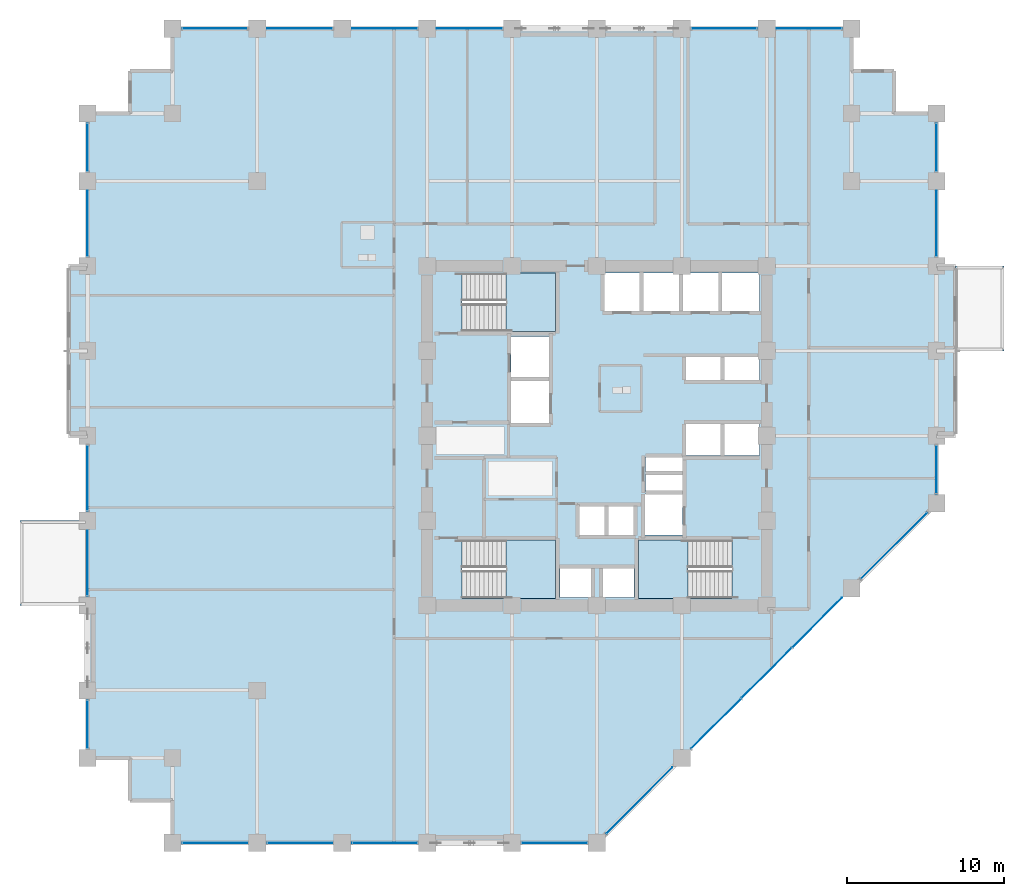
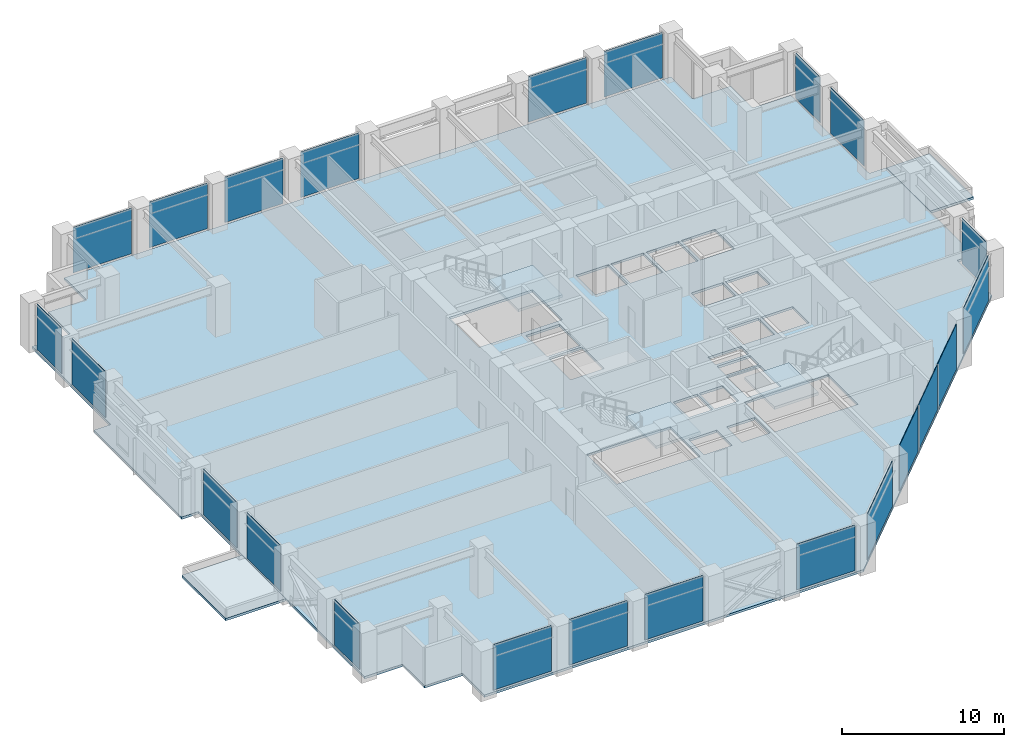
# One storey, part 17 of 25: 23 plates, 6 slabs, 13 elements without a shape of their own.
"""IFC4 building model written with IfcOpenShell, lengths in metres."""

from ifc_helpers import new_model, si_unit, direction, frame, frame_2d, origin, place, context, subcontext, project, spatial, polyline, rectangle, outline, extrude, material, layer, layer_set, type_object, element, aggregate, save


model = new_model("IFC4")

# Units and contexts
model_context = context("Model", 3, precision=1e-05, world=origin(), true_north=direction((0.0, 1.0)))
body_context = subcontext(model_context, "Body", "Model", "MODEL_VIEW")
ifc_project = project(units=[si_unit("LENGTHUNIT", "METRE"), si_unit("AREAUNIT", "SQUARE_METRE"), si_unit("VOLUMEUNIT", "CUBIC_METRE"), si_unit("PLANEANGLEUNIT", "RADIAN"), si_unit("MASSUNIT", "GRAM", prefix="KILO")], contexts=[model_context])

# Site, building, storey
site_placement = place(None, origin())
site = spatial("IfcSite", under=ifc_project, at=site_placement, CompositionType="ELEMENT")
building_placement = place(site_placement, origin())
building = spatial("IfcBuilding", under=site, at=building_placement, Name="Surkhivell Harbour Commons", CompositionType="ELEMENT")
storey_placement = place(building_placement, frame((0.0, 0.0, 94.5)))
storey = spatial("IfcBuildingStorey", under=building, at=storey_placement, Name="L24", CompositionType="ELEMENT", Elevation=94.5)

# Curtain wall, plates
ifc_material_1 = material(Name="Anodised pale-metal aluminium and insulated glazing", Category="aluminium")
ifc_layer_1 = layer(ifc_material_1, 0.205078125)
ifc_layer_set_1 = layer_set([ifc_layer_1], Name="Anodised pale-metal aluminium and insulated glazing")
curtain_wall_type = type_object("IfcCurtainWallType", Name="CW-SYS-Z2", PredefinedType="NOTDEFINED", material=ifc_layer_set_1)
curtain_wall_1_placement = place(storey_placement, origin())
curtain_wall_1 = element("IfcCurtainWall", 1, at=curtain_wall_1_placement, inside=storey, type_object=curtain_wall_type, Name="L24 Curtain Wall CW-L24-E00S1", PredefinedType="NOTDEFINED")
ifc_material_2 = material(Name="High-pressure typhoon laminated vision glass", Category="glass")
ifc_layer_2 = layer(ifc_material_2, 0.035888671875)
ifc_layer_set_2 = layer_set([ifc_layer_2], Name="High-pressure typhoon laminated vision glass")
plate_type = type_object("IfcPlateType", Name="CWP-GLZ-36", PredefinedType="CURTAIN_PANEL", material=ifc_layer_set_2)
plate_1_placement = place(storey_placement, frame((-26.373046875, -25.89990234375, 0.14990234375), z_axis=(0.0, 0.0, 1.0), x_axis=(1.0, 0.0, 0.0)))
plate_1 = element("IfcPlate", 2, at=plate_1_placement, type_object=plate_type, Name="CW-Z2 panel 1.1", PredefinedType="CURTAIN_PANEL", context=body_context, shape_type="SweptSolid", body=[
    extrude(rectangle(XDim=4.14599609375, YDim=0.035888671875, at=frame_2d((2.072998046875, 0.0))), origin(), (0.0, 0.0, 1.0), 3.420166015625),
])
plate_2_placement = place(storey_placement, frame((-20.972900390625, -25.89990234375, 0.14990234375), z_axis=(0.0, 0.0, 1.0), x_axis=(1.0, 0.0, 0.0)))
plate_2 = element("IfcPlate", 3, at=plate_2_placement, type_object=plate_type, Name="CW-Z2 panel 2.1", PredefinedType="CURTAIN_PANEL", context=body_context, shape_type="SweptSolid", body=[
    extrude(rectangle(XDim=4.14599609375, YDim=0.035888671875, at=frame_2d((2.072998046875, 0.0))), origin(), (0.0, 0.0, 1.0), 3.420166015625),
])
plate_3_placement = place(storey_placement, frame((-15.572998046875, -25.89990234375, 0.14990234375), z_axis=(0.0, 0.0, 1.0), x_axis=(1.0, 0.0, 0.0)))
plate_3 = element("IfcPlate", 4, at=plate_3_placement, type_object=plate_type, Name="CW-Z2 panel 3.1", PredefinedType="CURTAIN_PANEL", context=body_context, shape_type="SweptSolid", body=[
    extrude(rectangle(XDim=4.14599609375, YDim=0.035888671875, at=frame_2d((2.072998046875, 0.0))), origin(), (0.0, 0.0, 1.0), 3.420166015625),
])
aggregate(curtain_wall_1, [plate_1, plate_2, plate_3])

# Curtain wall, plate
curtain_wall_2_placement = place(storey_placement, origin())
curtain_wall_2 = element("IfcCurtainWall", 5, at=curtain_wall_2_placement, inside=storey, type_object=curtain_wall_type, Name="L24 Curtain Wall CW-L24-E00S2", PredefinedType="NOTDEFINED")
plate_4_placement = place(storey_placement, frame((-4.77294921875, -25.89990234375, 0.14990234375), z_axis=(0.0, 0.0, 1.0), x_axis=(1.0, 0.0, 0.0)))
plate_4 = element("IfcPlate", 6, at=plate_4_placement, type_object=plate_type, Name="CW-Z2 panel 1.1", PredefinedType="CURTAIN_PANEL", context=body_context, shape_type="SweptSolid", body=[
    extrude(rectangle(XDim=4.14599609375, YDim=0.035888671875, at=frame_2d((2.072998046875, 0.0))), origin(), (0.0, 0.0, 1.0), 3.420166015625),
])
aggregate(curtain_wall_2, [plate_4])

# Curtain wall, plates
curtain_wall_3_placement = place(storey_placement, origin())
curtain_wall_3 = element("IfcCurtainWall", 7, at=curtain_wall_3_placement, inside=storey, type_object=curtain_wall_type, Name="L24 Curtain Wall CW-L24-E01", PredefinedType="NOTDEFINED")
plate_5_placement = place(storey_placement, frame((0.604736328125, -25.295166015625, 0.14990234375), z_axis=(0.0, 0.0, 1.0), x_axis=(0.707106781187, 0.707106781187, 0.0)))
plate_5 = element("IfcPlate", 8, at=plate_5_placement, type_object=plate_type, Name="CW-Z2 panel 1.1", PredefinedType="CURTAIN_PANEL", context=body_context, shape_type="SweptSolid", body=[
    extrude(rectangle(XDim=5.92626953125, YDim=0.035888671875, at=frame_2d((2.963134765625, 0.0))), origin(), (0.0, 0.0, 1.0), 3.420166015625),
])
plate_6_placement = place(storey_placement, frame((6.004638671875, -19.895263671875, 0.14990234375), z_axis=(0.0, 0.0, 1.0), x_axis=(0.707134159244, 0.707079402069, 0.0)))
plate_6 = element("IfcPlate", 9, at=plate_6_placement, type_object=plate_type, Name="CW-Z2 panel 2.1", PredefinedType="CURTAIN_PANEL", context=body_context, shape_type="SweptSolid", body=[
    extrude(rectangle(XDim=4.45849609375, YDim=0.035888671875, at=frame_2d((2.229248046875, 0.0))), origin(), (0.0, 0.0, 1.0), 3.420166015625),
])
plate_7_placement = place(storey_placement, frame((9.21044921875, -16.689697265625, 0.14990234375), z_axis=(0.0, 0.0, 1.0), x_axis=(0.707106781187, 0.707106781187, 0.0)))
plate_7 = element("IfcPlate", 10, at=plate_7_placement, type_object=plate_type, Name="CW-Z2 panel 3.1", PredefinedType="CURTAIN_PANEL", context=body_context, shape_type="SweptSolid", body=[
    extrude(rectangle(XDim=4.49609375, YDim=0.035888671875, at=frame_2d((2.248046875, 0.0))), origin(), (0.0, 0.0, 1.0), 3.420166015625),
])
plate_8_placement = place(storey_placement, frame((12.442626953125, -13.457275390625, 0.14990234375), z_axis=(0.0, 0.0, 1.0), x_axis=(0.707106781187, 0.707106781187, 0.0)))
plate_8 = element("IfcPlate", 11, at=plate_8_placement, type_object=plate_type, Name="CW-Z2 panel 4.1", PredefinedType="CURTAIN_PANEL", context=body_context, shape_type="SweptSolid", body=[
    extrude(rectangle(XDim=4.45849609375, YDim=0.035888671875, at=frame_2d((2.229248046875, 0.0))), origin(), (0.0, 0.0, 1.0), 3.420166015625),
])
plate_9_placement = place(storey_placement, frame((16.8046875, -9.09521484375, 0.14990234375), z_axis=(0.0, 0.0, 1.0), x_axis=(0.707127378829, 0.707086182944, 0.0)))
plate_9 = element("IfcPlate", 12, at=plate_9_placement, type_object=plate_type, Name="CW-Z2 panel 5.1", PredefinedType="CURTAIN_PANEL", context=body_context, shape_type="SweptSolid", body=[
    extrude(rectangle(XDim=5.92626953125, YDim=0.035888671875, at=frame_2d((2.963134765625, 0.0))), origin(), (0.0, 0.0, 1.0), 3.420166015625),
])
aggregate(curtain_wall_3, [plate_5, plate_6, plate_7, plate_8, plate_9])

# Curtain wall, plate
curtain_wall_4_placement = place(storey_placement, origin())
curtain_wall_4 = element("IfcCurtainWall", 13, at=curtain_wall_4_placement, inside=storey, type_object=curtain_wall_type, Name="L24 Curtain Wall CW-L24-E02R1", PredefinedType="NOTDEFINED")
plate_10_placement = place(storey_placement, frame((21.60009765625, -3.673095703125, 0.14990234375), z_axis=(0.0, 0.0, 1.0), x_axis=(0.0, 1.0, 0.0)))
plate_10 = element("IfcPlate", 14, at=plate_10_placement, type_object=plate_type, Name="CW-Z2 panel 1.1", PredefinedType="CURTAIN_PANEL", context=body_context, shape_type="SweptSolid", body=[
    extrude(rectangle(XDim=3.046142578125, YDim=0.035888671875, at=frame_2d((1.52294921875, 0.0))), origin(), (0.0, 0.0, 1.0), 3.420166015625),
])
aggregate(curtain_wall_4, [plate_10])

# Curtain wall, plates
curtain_wall_5_placement = place(storey_placement, origin())
curtain_wall_5 = element("IfcCurtainWall", 15, at=curtain_wall_5_placement, inside=storey, type_object=curtain_wall_type, Name="L24 Curtain Wall CW-L24-E02R2", PredefinedType="NOTDEFINED")
plate_11_placement = place(storey_placement, frame((21.60009765625, 11.427001953125, 0.14990234375), z_axis=(0.0, 0.0, 1.0), x_axis=(0.0, 1.0, 0.0)))
plate_11 = element("IfcPlate", 16, at=plate_11_placement, type_object=plate_type, Name="CW-Z2 panel 1.1", PredefinedType="CURTAIN_PANEL", context=body_context, shape_type="SweptSolid", body=[
    extrude(rectangle(XDim=4.14599609375, YDim=0.035888671875, at=frame_2d((2.072998046875, 0.0))), origin(), (0.0, 0.0, 1.0), 3.420166015625),
])
plate_12_placement = place(storey_placement, frame((21.60009765625, 16.826904296875, 0.14990234375), z_axis=(0.0, 0.0, 1.0), x_axis=(0.0, 1.0, 0.0)))
plate_12 = element("IfcPlate", 17, at=plate_12_placement, type_object=plate_type, Name="CW-Z2 panel 2.1", PredefinedType="CURTAIN_PANEL", context=body_context, shape_type="SweptSolid", body=[
    extrude(rectangle(XDim=3.046142578125, YDim=0.035888671875, at=frame_2d((1.52294921875, 0.0))), origin(), (0.0, 0.0, 1.0), 3.420166015625),
])
aggregate(curtain_wall_5, [plate_11, plate_12])

curtain_wall_6_placement = place(storey_placement, origin())
curtain_wall_6 = element("IfcCurtainWall", 18, at=curtain_wall_6_placement, inside=storey, type_object=curtain_wall_type, Name="L24 Curtain Wall CW-L24-E07S1", PredefinedType="NOTDEFINED")
plate_13_placement = place(storey_placement, frame((15.572998046875, 25.89990234375, 0.14990234375), z_axis=(0.0, 0.0, 1.0), x_axis=(-1.0, 0.0, 0.0)))
plate_13 = element("IfcPlate", 19, at=plate_13_placement, type_object=plate_type, Name="CW-Z2 panel 1.1", PredefinedType="CURTAIN_PANEL", context=body_context, shape_type="SweptSolid", body=[
    extrude(rectangle(XDim=4.14599609375, YDim=0.035888671875, at=frame_2d((2.072998046875, 0.0))), origin(), (0.0, 0.0, 1.0), 3.420166015625),
])
plate_14_placement = place(storey_placement, frame((10.173095703125, 25.89990234375, 0.14990234375), z_axis=(0.0, 0.0, 1.0), x_axis=(-1.0, 0.0, 0.0)))
plate_14 = element("IfcPlate", 20, at=plate_14_placement, type_object=plate_type, Name="CW-Z2 panel 2.1", PredefinedType="CURTAIN_PANEL", context=body_context, shape_type="SweptSolid", body=[
    extrude(rectangle(XDim=4.14599609375, YDim=0.035888671875, at=frame_2d((2.072998046875, 0.0))), origin(), (0.0, 0.0, 1.0), 3.420166015625),
])
aggregate(curtain_wall_6, [plate_13, plate_14])

curtain_wall_7_placement = place(storey_placement, origin())
curtain_wall_7 = element("IfcCurtainWall", 21, at=curtain_wall_7_placement, inside=storey, type_object=curtain_wall_type, Name="L24 Curtain Wall CW-L24-E07S2", PredefinedType="NOTDEFINED")
plate_15_placement = place(storey_placement, frame((-6.027099609375, 25.89990234375, 0.14990234375), z_axis=(0.0, 0.0, 1.0), x_axis=(-1.0, 0.0, 0.0)))
plate_15 = element("IfcPlate", 22, at=plate_15_placement, type_object=plate_type, Name="CW-Z2 panel 1.1", PredefinedType="CURTAIN_PANEL", context=body_context, shape_type="SweptSolid", body=[
    extrude(rectangle(XDim=4.14599609375, YDim=0.035888671875, at=frame_2d((2.072998046875, 0.0))), origin(), (0.0, 0.0, 1.0), 3.420166015625),
])
plate_16_placement = place(storey_placement, frame((-11.427001953125, 25.89990234375, 0.14990234375), z_axis=(0.0, 0.0, 1.0), x_axis=(-1.0, 0.0, 0.0)))
plate_16 = element("IfcPlate", 23, at=plate_16_placement, type_object=plate_type, Name="CW-Z2 panel 2.1", PredefinedType="CURTAIN_PANEL", context=body_context, shape_type="SweptSolid", body=[
    extrude(rectangle(XDim=4.14599609375, YDim=0.035888671875, at=frame_2d((2.072998046875, 0.0))), origin(), (0.0, 0.0, 1.0), 3.420166015625),
])
plate_17_placement = place(storey_placement, frame((-16.826904296875, 25.89990234375, 0.14990234375), z_axis=(0.0, 0.0, 1.0), x_axis=(-1.0, 0.0, 0.0)))
plate_17 = element("IfcPlate", 24, at=plate_17_placement, type_object=plate_type, Name="CW-Z2 panel 3.1", PredefinedType="CURTAIN_PANEL", context=body_context, shape_type="SweptSolid", body=[
    extrude(rectangle(XDim=4.14599609375, YDim=0.035888671875, at=frame_2d((2.072998046875, 0.0))), origin(), (0.0, 0.0, 1.0), 3.420166015625),
])
plate_18_placement = place(storey_placement, frame((-22.22705078125, 25.89990234375, 0.14990234375), z_axis=(0.0, 0.0, 1.0), x_axis=(-1.0, 0.0, 0.0)))
plate_18 = element("IfcPlate", 25, at=plate_18_placement, type_object=plate_type, Name="CW-Z2 panel 4.1", PredefinedType="CURTAIN_PANEL", context=body_context, shape_type="SweptSolid", body=[
    extrude(rectangle(XDim=4.14599609375, YDim=0.035888671875, at=frame_2d((2.072998046875, 0.0))), origin(), (0.0, 0.0, 1.0), 3.420166015625),
])
aggregate(curtain_wall_7, [plate_15, plate_16, plate_17, plate_18])

# Curtain wall, plate
curtain_wall_8_placement = place(storey_placement, origin())
curtain_wall_8 = element("IfcCurtainWall", 26, at=curtain_wall_8_placement, inside=storey, type_object=curtain_wall_type, Name="L24 Curtain Wall CW-L24-E12R1S1", PredefinedType="NOTDEFINED")
plate_19_placement = place(storey_placement, frame((-32.39990234375, -19.873046875, 0.14990234375), z_axis=(0.0, 0.0, 1.0), x_axis=(0.0, 1.0, 0.0)))
plate_19 = element("IfcPlate", 27, at=plate_19_placement, type_object=plate_type, Name="CW-Z2 panel 1.1", PredefinedType="CURTAIN_PANEL", context=body_context, shape_type="SweptSolid", body=[
    extrude(rectangle(XDim=3.046142578125, YDim=0.035888671875, at=frame_2d((1.52294921875, 0.0))), origin(), (0.0, 0.0, 1.0), 3.420166015625),
])
aggregate(curtain_wall_8, [plate_19])

# Curtain wall, plates
curtain_wall_9_placement = place(storey_placement, origin())
curtain_wall_9 = element("IfcCurtainWall", 28, at=curtain_wall_9_placement, inside=storey, type_object=curtain_wall_type, Name="L24 Curtain Wall CW-L24-E12R1S2", PredefinedType="NOTDEFINED")
plate_20_placement = place(storey_placement, frame((-32.39990234375, -10.173095703125, 0.14990234375), z_axis=(0.0, 0.0, 1.0), x_axis=(0.0, 1.0, 0.0)))
plate_20 = element("IfcPlate", 29, at=plate_20_placement, type_object=plate_type, Name="CW-Z2 panel 1.1", PredefinedType="CURTAIN_PANEL", context=body_context, shape_type="SweptSolid", body=[
    extrude(rectangle(XDim=4.14599609375, YDim=0.035888671875, at=frame_2d((2.072998046875, 0.0))), origin(), (0.0, 0.0, 1.0), 3.420166015625),
])
plate_21_placement = place(storey_placement, frame((-32.39990234375, -4.77294921875, 0.14990234375), z_axis=(0.0, 0.0, 1.0), x_axis=(0.0, 1.0, 0.0)))
plate_21 = element("IfcPlate", 30, at=plate_21_placement, type_object=plate_type, Name="CW-Z2 panel 2.1", PredefinedType="CURTAIN_PANEL", context=body_context, shape_type="SweptSolid", body=[
    extrude(rectangle(XDim=4.14599609375, YDim=0.035888671875, at=frame_2d((2.072998046875, 0.0))), origin(), (0.0, 0.0, 1.0), 3.420166015625),
])
aggregate(curtain_wall_9, [plate_20, plate_21])

curtain_wall_10_placement = place(storey_placement, origin())
curtain_wall_10 = element("IfcCurtainWall", 31, at=curtain_wall_10_placement, inside=storey, type_object=curtain_wall_type, Name="L24 Curtain Wall CW-L24-E12R2", PredefinedType="NOTDEFINED")
plate_22_placement = place(storey_placement, frame((-32.39990234375, 11.427001953125, 0.14990234375), z_axis=(0.0, 0.0, 1.0), x_axis=(0.0, 1.0, 0.0)))
plate_22 = element("IfcPlate", 32, at=plate_22_placement, type_object=plate_type, Name="CW-Z2 panel 1.1", PredefinedType="CURTAIN_PANEL", context=body_context, shape_type="SweptSolid", body=[
    extrude(rectangle(XDim=4.14599609375, YDim=0.035888671875, at=frame_2d((2.072998046875, 0.0))), origin(), (0.0, 0.0, 1.0), 3.420166015625),
])
plate_23_placement = place(storey_placement, frame((-32.39990234375, 16.826904296875, 0.14990234375), z_axis=(0.0, 0.0, 1.0), x_axis=(0.0, 1.0, 0.0)))
plate_23 = element("IfcPlate", 33, at=plate_23_placement, type_object=plate_type, Name="CW-Z2 panel 2.1", PredefinedType="CURTAIN_PANEL", context=body_context, shape_type="SweptSolid", body=[
    extrude(rectangle(XDim=3.046142578125, YDim=0.035888671875, at=frame_2d((1.52294921875, 0.0))), origin(), (0.0, 0.0, 1.0), 3.420166015625),
])
aggregate(curtain_wall_10, [plate_22, plate_23])

# Slabs
ifc_material_3 = material(Name="Concrete C45/55", Category="concrete")
ifc_layer_3 = layer(ifc_material_3, 0.179931640625)
ifc_layer_set_3 = layer_set([ifc_layer_3], Name="Concrete C45/55")
slab_type_1 = type_object("IfcSlabType", Name="SLB-BOXRF-180", PredefinedType="ROOF", material=ifc_layer_set_3)
slab_1_placement = place(storey_placement, frame((0.0, 0.0, -0.179931640625)))
element("IfcSlab", 34, at=slab_1_placement, inside=storey, type_object=slab_type_1, Name="L24 Closed Box-Cluster Roof Slab 1", PredefinedType="ROOF", context=body_context, shape_type="SweptSolid", body=[
    extrude(outline(polyline([(25.89990234375, 10.800048828125), (22.820068359375, 10.800048828125), (22.820068359375, 5.39990234375), (25.89990234375, 5.39990234375), (25.89990234375, 10.800048828125)])), origin(), (0.0, 0.0, 1.0), 0.179931640625),
])
slab_2_placement = place(storey_placement, frame((0.0, 0.0, -0.179931640625)))
element("IfcSlab", 35, at=slab_2_placement, inside=storey, type_object=slab_type_1, Name="L24 Closed Box-Cluster Roof Slab 2", PredefinedType="ROOF", context=body_context, shape_type="SweptSolid", body=[
    extrude(outline(polyline([(-36.699951171875, -10.800048828125), (-32.419921875, -10.800048828125), (-32.419921875, -5.39990234375), (-36.699951171875, -5.39990234375), (-36.699951171875, -10.800048828125)])), origin(), (0.0, 0.0, 1.0), 0.179931640625),
])

# Stair, slab
ifc_material_4 = material(Name="Precast concrete C45/55", Category="concrete")
stair_type = type_object("IfcStairType", Name="STR-DL-375", PredefinedType="HALF_TURN_STAIR", material=ifc_material_4)
stair_1_placement = place(storey_placement, origin())
stair_1 = element("IfcStair", 36, at=stair_1_placement, inside=storey, type_object=stair_type, Name="L24 Core Exit Stair ST1", PredefinedType="HALF_TURN_STAIR")
ifc_material_5 = material(Name="Reinforced concrete C45/55", Category="concrete")
ifc_layer_4 = layer(ifc_material_5, 0.199951171875)
ifc_layer_set_4 = layer_set([ifc_layer_4], Name="Reinforced concrete C45/55")
slab_type_2 = type_object("IfcSlabType", Name="SLB-ST-LND200", PredefinedType="LANDING", material=ifc_layer_set_4)
slab_3_placement = place(storey_placement, frame((0.0, 0.0, 1.675048828125)))
slab_3 = element("IfcSlab", 37, at=slab_3_placement, type_object=slab_type_2, Name="ST1 landing 1", PredefinedType="LANDING", context=body_context, shape_type="SweptSolid", body=[
    extrude(outline(polyline([(-5.7900390625, 6.639892578125), (-2.639892578125, 6.639892578125), (-2.639892578125, 10.340087890625), (-5.7900390625, 10.340087890625), (-5.7900390625, 6.639892578125)])), origin(), (0.0, 0.0, 1.0), 0.199951171875),
])
aggregate(stair_1, [slab_3])

stair_2_placement = place(storey_placement, origin())
stair_2 = element("IfcStair", 38, at=stair_2_placement, inside=storey, type_object=stair_type, Name="L24 Core Exit Stair ST2", PredefinedType="HALF_TURN_STAIR")
slab_4_placement = place(storey_placement, frame((0.0, 0.0, 1.675048828125)))
slab_4 = element("IfcSlab", 39, at=slab_4_placement, type_object=slab_type_2, Name="ST2 landing 1", PredefinedType="LANDING", context=body_context, shape_type="SweptSolid", body=[
    extrude(outline(polyline([(5.7900390625, -6.639892578125), (2.639892578125, -6.639892578125), (2.639892578125, -10.340087890625), (5.7900390625, -10.340087890625), (5.7900390625, -6.639892578125)])), origin(), (0.0, 0.0, 1.0), 0.199951171875),
])
aggregate(stair_2, [slab_4])

stair_3_placement = place(storey_placement, origin())
stair_3 = element("IfcStair", 40, at=stair_3_placement, inside=storey, type_object=stair_type, Name="L24 Core Exit Stair ST3", PredefinedType="HALF_TURN_STAIR")
slab_5_placement = place(storey_placement, frame((0.0, 0.0, 1.675048828125)))
slab_5 = element("IfcSlab", 41, at=slab_5_placement, type_object=slab_type_2, Name="ST3 landing 1", PredefinedType="LANDING", context=body_context, shape_type="SweptSolid", body=[
    extrude(outline(polyline([(-5.7900390625, -10.340087890625), (-2.639892578125, -10.340087890625), (-2.639892578125, -6.639892578125), (-5.7900390625, -6.639892578125), (-5.7900390625, -10.340087890625)])), origin(), (0.0, 0.0, 1.0), 0.199951171875),
])
aggregate(stair_3, [slab_5])

# Slab
ifc_layer_5 = layer(ifc_material_3, 0.179931640625)
ifc_layer_set_5 = layer_set([ifc_layer_5], Name="Concrete C45/55")
slab_type_3 = type_object("IfcSlabType", Name="SLB-TYP-180", PredefinedType="FLOOR", material=ifc_layer_set_5)
slab_6_placement = place(storey_placement, frame((0.0, 0.0, -0.179931640625)))
element("IfcSlab", 42, at=slab_6_placement, inside=storey, type_object=slab_type_3, Name="L24 Structural Floor Slab", PredefinedType="FLOOR", context=body_context, shape_type="SweptSolid", body=[
    extrude(outline(polyline([(-32.39990234375, 20.5), (-32.39990234375, 10.800048828125), (-33.60009765625, 10.800048828125), (-33.60009765625, 0.0), (-32.39990234375, 0.0), (-32.39990234375, -20.5), (-29.699951171875, -20.5), (-29.699951171875, -23.199951171875), (-27.0, -23.199951171875), (-27.0, -25.89990234375), (0.0, -25.89990234375), (21.60009765625, -4.300048828125), (21.60009765625, 0.0), (22.800048828125, 0.0), (22.800048828125, 10.800048828125), (21.60009765625, 10.800048828125), (21.60009765625, 20.5), (18.89990234375, 20.5), (18.89990234375, 23.199951171875), (16.199951171875, 23.199951171875), (16.199951171875, 25.89990234375), (-27.0, 25.89990234375), (-27.0, 23.199951171875), (-29.699951171875, 23.199951171875), (-29.699951171875, 20.5), (-32.39990234375, 20.5)]), holes=[polyline([(-8.590087890625, 6.639892578125), (-2.639892578125, 6.639892578125), (-2.639892578125, 10.340087890625), (-8.590087890625, 10.340087890625), (-8.590087890625, 6.639892578125)]), polyline([(8.590087890625, -6.639892578125), (2.639892578125, -6.639892578125), (2.639892578125, -10.340087890625), (8.590087890625, -10.340087890625), (8.590087890625, -6.639892578125)]), polyline([(-8.590087890625, -10.340087890625), (-2.639892578125, -10.340087890625), (-2.639892578125, -6.639892578125), (-8.590087890625, -6.639892578125), (-8.590087890625, -10.340087890625)]), polyline([(0.449951171875, 7.949951171875), (2.75, 7.949951171875), (2.75, 10.35009765625), (0.449951171875, 10.35009765625), (0.449951171875, 7.949951171875)]), polyline([(2.949951171875, 7.949951171875), (5.25, 7.949951171875), (5.25, 10.35009765625), (2.949951171875, 10.35009765625), (2.949951171875, 7.949951171875)]), polyline([(5.449951171875, 7.949951171875), (7.75, 7.949951171875), (7.75, 10.35009765625), (5.449951171875, 10.35009765625), (5.449951171875, 7.949951171875)]), polyline([(7.949951171875, 7.949951171875), (10.35009765625, 7.949951171875), (10.35009765625, 10.35009765625), (7.949951171875, 10.35009765625), (7.949951171875, 7.949951171875)]), polyline([(5.64990234375, 3.550048828125), (7.89990234375, 3.550048828125), (7.89990234375, 5.14990234375), (5.64990234375, 5.14990234375), (5.64990234375, 3.550048828125)]), polyline([(8.10009765625, 3.550048828125), (10.35009765625, 3.550048828125), (10.35009765625, 5.14990234375), (8.10009765625, 5.14990234375), (8.10009765625, 3.550048828125)]), polyline([(5.64990234375, -1.25), (7.89990234375, -1.25), (7.89990234375, 0.75), (5.64990234375, 0.75), (5.64990234375, -1.25)]), polyline([(8.10009765625, -1.25), (10.35009765625, -1.25), (10.35009765625, 0.75), (8.10009765625, 0.75), (8.10009765625, -1.25)]), polyline([(-1.14990234375, -6.35009765625), (0.550048828125, -6.35009765625), (0.550048828125, -4.449951171875), (-1.14990234375, -4.449951171875), (-1.14990234375, -6.35009765625)]), polyline([(0.679931640625, -6.35009765625), (2.3798828125, -6.35009765625), (2.3798828125, -4.449951171875), (0.679931640625, -4.449951171875), (0.679931640625, -6.35009765625)]), polyline([(-2.35009765625, -10.300048828125), (-0.35009765625, -10.300048828125), (-0.35009765625, -8.39990234375), (-2.35009765625, -8.39990234375), (-2.35009765625, -10.300048828125)]), polyline([(0.35009765625, -10.300048828125), (2.35009765625, -10.300048828125), (2.35009765625, -8.39990234375), (0.35009765625, -8.39990234375), (0.35009765625, -10.300048828125)]), polyline([(-5.449951171875, 3.699951171875), (-3.050048828125, 3.699951171875), (-3.050048828125, 6.300048828125), (-5.449951171875, 6.300048828125), (-5.449951171875, 3.699951171875)]), polyline([(3.050048828125, -6.300048828125), (5.449951171875, -6.300048828125), (5.449951171875, -3.699951171875), (3.050048828125, -3.699951171875), (3.050048828125, -6.300048828125)]), polyline([(-5.449951171875, 0.800048828125), (-3.050048828125, 0.800048828125), (-3.050048828125, 3.5), (-5.449951171875, 3.5), (-5.449951171875, 0.800048828125)]), polyline([(3.10009765625, -3.550048828125), (5.449951171875, -3.550048828125), (5.449951171875, -2.47998046875), (3.10009765625, -2.47998046875), (3.10009765625, -3.550048828125)]), polyline([(3.10009765625, -2.280029296875), (5.449951171875, -2.280029296875), (5.449951171875, -1.35009765625), (3.10009765625, -1.35009765625), (3.10009765625, -2.280029296875)])]), origin(), (0.0, 0.0, 1.0), 0.179931640625),
])

save(model, "model.ifc")
